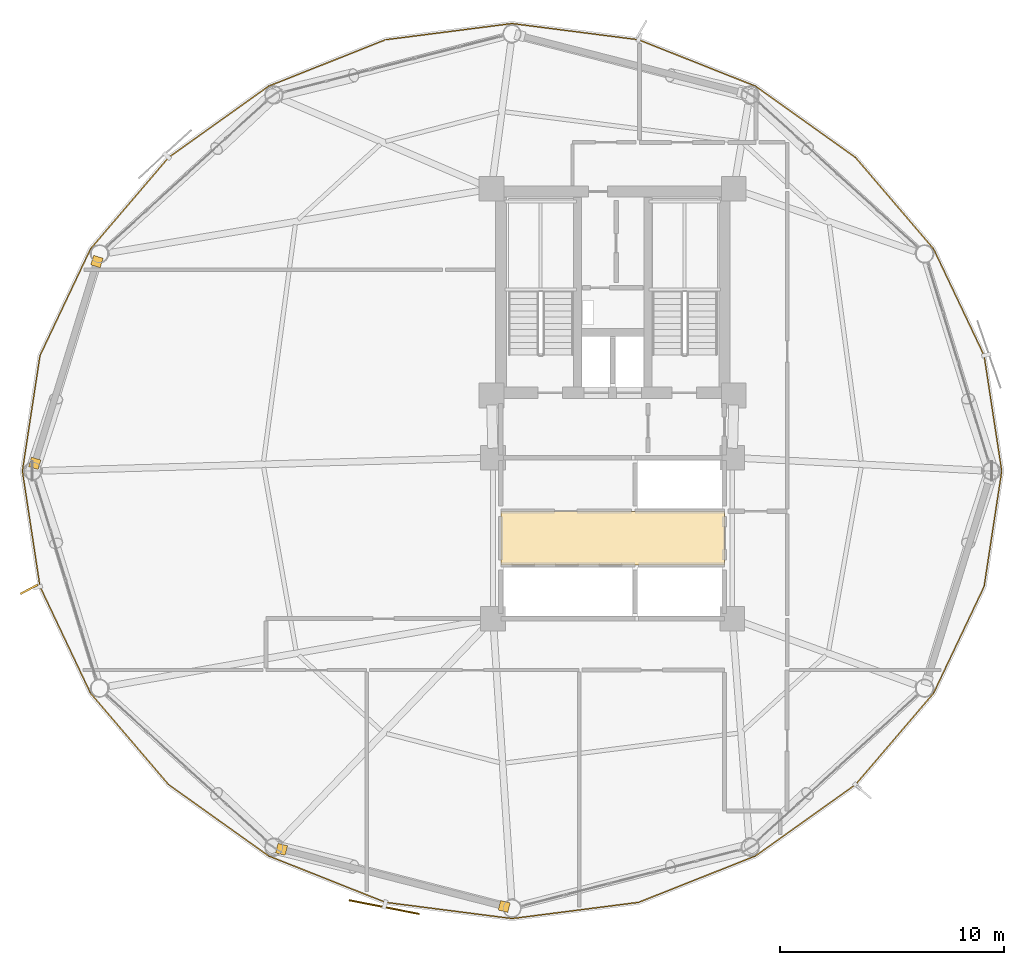
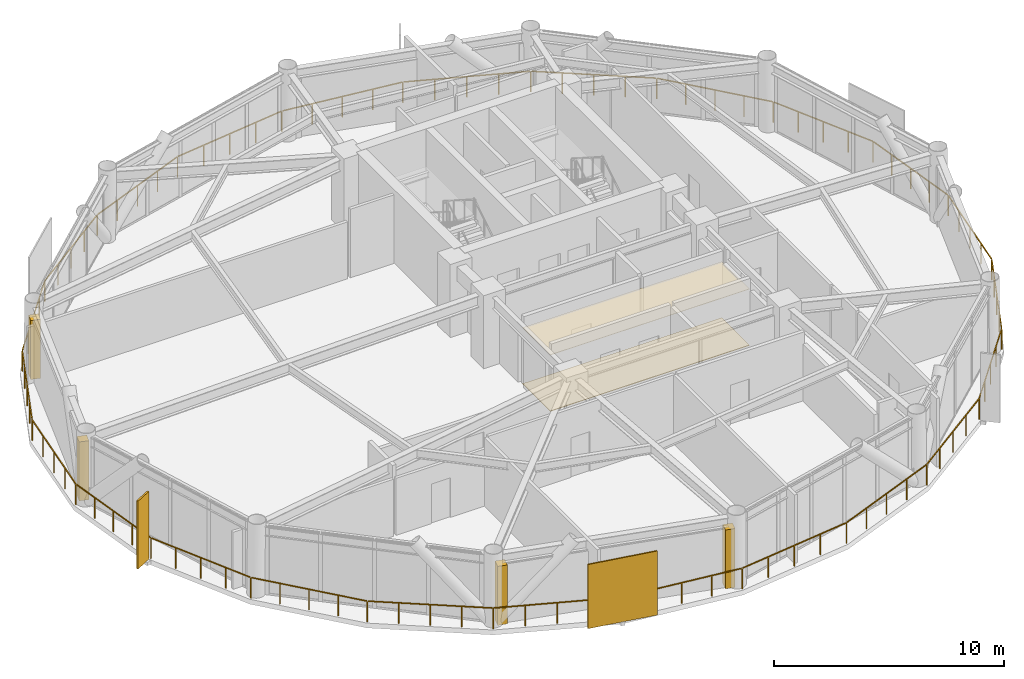
# One storey, part 22 of 24: 6 coverings, 2 shading devices, 1 railing.
"""IFC4 building model written with IfcOpenShell, lengths in metres."""

import ifcopenshell
import ifcopenshell.guid

model = None  # the IFC model being written
_history = None  # IfcOwnerHistory: only IFC2X3 demands one
_inside = {}  # id of a spatial element -> (the spatial element, [elements in it])
_under = {}  # id of a project, library or spatial element -> (it, [spatial elements below it])
_declared = {}  # id of a project -> (the project, [libraries it declares])
_typed = {}  # id of a type object -> (the type object, [elements of that type])
_made_of = {}  # id of a material, layer set ... -> (it, [elements and type objects made of it])


def new_model(schema):
    """Start an empty IFC model of exactly this schema.

    Asked for "IFC4X3", IfcOpenShell would pick the latest addendum, in which some entities
    have other attributes; the version numbers below select the first issue.
    IFC2X3 requires an IfcOwnerHistory on every rooted entity: one is made here for all.
    """
    global model, _history
    if schema == "IFC4X3":
        model = ifcopenshell.file(schema_version=(4, 3, 0, 0))
    else:
        model = ifcopenshell.file(schema=schema)
    _inside.clear()
    _under.clear()
    _declared.clear()
    _typed.clear()
    _made_of.clear()
    _history = None
    if model.schema == "IFC2X3":
        org = make("IfcOrganization", Name="unknown")
        user = make(
            "IfcPersonAndOrganization",
            ThePerson=make("IfcPerson", FamilyName="unknown"),
            TheOrganization=org,
        )
        app = make(
            "IfcApplication",
            ApplicationDeveloper=org,
            Version="unknown",
            ApplicationFullName="unknown",
            ApplicationIdentifier="unknown",
        )
        _history = make(
            "IfcOwnerHistory",
            OwningUser=user,
            OwningApplication=app,
            ChangeAction="ADDED",
            CreationDate=0,
        )
    return model


def make(cls, **values):
    """One entity of the class cls with the attributes given. An attribute that is None is left unset."""
    return model.create_entity(
        cls, **{name: value for name, value in values.items() if value is not None}
    )


def rooted(cls, **values):
    """An entity with a GlobalId (a new one), such as an element, a storey or a relation."""
    return make(cls, GlobalId=ifcopenshell.guid.new(), OwnerHistory=_history, **values)


def si_unit(unit_type, name, prefix=None):
    """IfcSIUnit, for example si_unit("LENGTHUNIT", "METRE", prefix="MILLI")."""
    return make("IfcSIUnit", UnitType=unit_type, Prefix=prefix, Name=name)


def assignment(units):
    """IfcUnitAssignment: the units of a project."""
    return None if units is None else make("IfcUnitAssignment", Units=units)


def point(xyz):
    """IfcCartesianPoint."""
    return None if xyz is None else make("IfcCartesianPoint", Coordinates=xyz)


def direction(xyz):
    """IfcDirection."""
    return None if xyz is None else make("IfcDirection", DirectionRatios=xyz)


def frame(location, z_axis=None, x_axis=None):
    """IfcAxis2Placement3D, a coordinate frame: its origin and axes. An axis left out is left unset."""
    return make(
        "IfcAxis2Placement3D",
        Location=point(location),
        Axis=direction(z_axis),
        RefDirection=direction(x_axis),
    )


def frame_2d(location, x_axis=None):
    """IfcAxis2Placement2D, a coordinate frame in the plane: its origin and x axis."""
    return make(
        "IfcAxis2Placement2D", Location=point(location), RefDirection=direction(x_axis)
    )


def origin():
    """The frame at (0, 0, 0) with its axes left unset."""
    return frame((0.0, 0.0, 0.0))


def origin_2d():
    """The frame at (0, 0) in the plane with its x axis left unset."""
    return frame_2d((0.0, 0.0))


def place(relative_to, where):
    """IfcLocalPlacement: puts the frame where relative to a parent placement (None: the world)."""
    return make(
        "IfcLocalPlacement", PlacementRelTo=relative_to, RelativePlacement=where
    )


def context(
    kind, dimensions, precision=None, world=None, true_north=None, identifier=None
):
    """IfcGeometricRepresentationContext, for example the 3D "Model" context."""
    return make(
        "IfcGeometricRepresentationContext",
        ContextIdentifier=identifier,
        ContextType=kind,
        CoordinateSpaceDimension=dimensions,
        Precision=precision,
        WorldCoordinateSystem=world,
        TrueNorth=true_north,
    )


def subcontext(parent, identifier, kind, view, scale=None):
    """IfcGeometricRepresentationSubContext, for example "Body" below "Model"."""
    return make(
        "IfcGeometricRepresentationSubContext",
        ContextIdentifier=identifier,
        ContextType=kind,
        ParentContext=parent,
        TargetScale=scale,
        TargetView=view,
    )


def project(units=None, contexts=None):
    """IfcProject with its units and contexts."""
    return rooted(
        "IfcProject",
        Name="project",
        RepresentationContexts=contexts,
        UnitsInContext=assignment(units),
    )


def spatial(cls, under=None, at=None, **own):
    """A site, building, storey or space (cls), placed at a placement, below another one or the project."""
    s = rooted(cls, ObjectPlacement=at, **own)
    if under is not None:
        _under.setdefault(under.id(), (under, []))[1].append(s)
    return s


def polyline(points):
    """IfcPolyline through the points."""
    return make("IfcPolyline", Points=[point(p) for p in points])


def profile(cls, at=None, kind="AREA", **sizes):
    """A parametric profile (cls). Its sizes go by their IFC names, for example OverallWidth=200.0."""
    return make(cls, ProfileType=kind, Position=at, **sizes)


def rectangle(**sizes):
    """IfcRectangleProfileDef."""
    return profile("IfcRectangleProfileDef", **sizes)


def outline(outer, holes=None, kind="AREA"):
    """IfcArbitraryClosedProfileDef: a profile drawn as a closed curve; with holes, ...WithVoids."""
    if holes is None:
        return make("IfcArbitraryClosedProfileDef", ProfileType=kind, OuterCurve=outer)
    return make(
        "IfcArbitraryProfileDefWithVoids",
        ProfileType=kind,
        OuterCurve=outer,
        InnerCurves=holes,
    )


def extrude(swept, where, along, depth):
    """IfcExtrudedAreaSolid: the profile swept, set in the frame where, extruded along a direction by depth."""
    return make(
        "IfcExtrudedAreaSolid",
        SweptArea=swept,
        Position=where,
        ExtrudedDirection=direction(along),
        Depth=depth,
    )


def shape(context_of_items, identifier, shape_type, items):
    """IfcShapeRepresentation: the items that make up one representation, for example the "Body"."""
    return make(
        "IfcShapeRepresentation",
        ContextOfItems=context_of_items,
        RepresentationIdentifier=identifier,
        RepresentationType=shape_type,
        Items=items,
    )


def source(mapping_origin, context_of_items, identifier, shape_type, items):
    """IfcRepresentationMap: a shape defined once, which mapped items show again and again."""
    return make(
        "IfcRepresentationMap",
        MappingOrigin=mapping_origin,
        MappedRepresentation=shape(context_of_items, identifier, shape_type, items),
    )


def transform(
    local_origin,
    x_axis=None,
    y_axis=None,
    z_axis=None,
    scale=None,
    scale2=None,
    scale3=None,
    uniform=True,
):
    """IfcCartesianTransformationOperator3D, or its non-uniform kind. x_axis, y_axis, z_axis: its Axis1, 2, 3."""
    if uniform:
        return make(
            "IfcCartesianTransformationOperator3D",
            Axis1=direction(x_axis),
            Axis2=direction(y_axis),
            LocalOrigin=point(local_origin),
            Scale=scale,
            Axis3=direction(z_axis),
        )
    return make(
        "IfcCartesianTransformationOperator3DnonUniform",
        Axis1=direction(x_axis),
        Axis2=direction(y_axis),
        LocalOrigin=point(local_origin),
        Scale=scale,
        Axis3=direction(z_axis),
        Scale2=scale2,
        Scale3=scale3,
    )


def mapped(mapping_source, mapping_target):
    """IfcMappedItem: shows the shape of a source again, moved by a transform."""
    return make(
        "IfcMappedItem", MappingSource=mapping_source, MappingTarget=mapping_target
    )


def material(Name=None, Category=None):
    """IfcMaterial."""
    return make("IfcMaterial", Name=Name, Category=Category)


def layer(
    of_material, thickness, ventilated=None, Name=None, Category=None, Priority=None
):
    """IfcMaterialLayer: one layer of a wall or slab, of a material (None: an air gap)."""
    return make(
        "IfcMaterialLayer",
        Material=of_material,
        LayerThickness=thickness,
        IsVentilated=ventilated,
        Name=Name,
        Category=Category,
        Priority=Priority,
    )


def layer_set(layers, Name=None):
    """IfcMaterialLayerSet."""
    return make("IfcMaterialLayerSet", MaterialLayers=layers, LayerSetName=Name)


def made_of(thing, what):
    """Note that an element or type object is made of a material, layer set ...; save() writes the relation."""
    if what is not None:
        _made_of.setdefault(what.id(), (what, []))[1].append(thing)
    return thing


def type_object(cls, material=None, **own):
    """A type object (cls), such as IfcWallType, which elements share."""
    return made_of(rooted(cls, **own), material)


def type_shapes(of_type, sources):
    """Give a type object the sources (RepresentationMaps) that its elements show as mapped items."""
    of_type.RepresentationMaps = sources


def element(
    cls,
    number,
    at=None,
    inside=None,
    cuts=None,
    type_object=None,
    material=None,
    context=None,
    identifier="Body",
    shape_type=None,
    held_by="IfcProductDefinitionShape",
    body=None,
    shapes=None,
    **own,
):
    """One element of the class cls, such as IfcWall. Its Tag is "e" and its number.

    at: its placement. inside: the storey or other place that contains it. cuts: it is an
    opening in that element (IfcRelVoidsElement). A single representation is given by context,
    identifier, shape_type and body (its items); several are given by shapes. held_by: the class
    of the entity that holds the representations. save() writes the other relations.
    """
    e = rooted(cls, Tag="e%d" % number, ObjectPlacement=at, **own)
    if body is not None:
        shapes = [shape(context, identifier, shape_type, body)]
    if shapes is not None:
        e.Representation = make(held_by, Representations=shapes)
    if inside is not None:
        _inside.setdefault(inside.id(), (inside, []))[1].append(e)
    if cuts is not None:
        rooted(
            "IfcRelVoidsElement", RelatingBuildingElement=cuts, RelatedOpeningElement=e
        )
    if type_object is not None:
        _typed.setdefault(type_object.id(), (type_object, []))[1].append(e)
    return made_of(e, material)


def aggregate(whole, parts):
    """IfcRelAggregates: a whole, such as a stair, and the parts it consists of."""
    return rooted("IfcRelAggregates", RelatingObject=whole, RelatedObjects=parts)


def save(model, path):
    """Write the relations noted so far, then the file.

    IfcRelAggregates (storeys below a building ...), IfcRelContainedInSpatialStructure (elements
    in a storey), IfcRelDefinesByType, IfcRelAssociatesMaterial and IfcRelDeclares: one each for
    every whole, place, type object, material and project.
    """
    for whole, parts in _under.values():
        aggregate(whole, parts)
    for where, things in _inside.values():
        rooted(
            "IfcRelContainedInSpatialStructure",
            RelatedElements=things,
            RelatingStructure=where,
        )
    for kind, things in _typed.values():
        rooted("IfcRelDefinesByType", RelatedObjects=things, RelatingType=kind)
    for what, things in _made_of.values():
        rooted("IfcRelAssociatesMaterial", RelatedObjects=things, RelatingMaterial=what)
    for by, libraries in _declared.values():
        rooted("IfcRelDeclares", RelatingContext=by, RelatedDefinitions=libraries)
    model.write(path)


model = new_model("IFC4")

# Units and contexts
model_context = context("Model", 3, precision=1e-05, world=origin(), true_north=direction((0.0, 1.0)))
body_context = subcontext(model_context, "Body", "Model", "MODEL_VIEW")
ifc_project = project(units=[si_unit("LENGTHUNIT", "METRE"), si_unit("AREAUNIT", "SQUARE_METRE"), si_unit("VOLUMEUNIT", "CUBIC_METRE"), si_unit("PLANEANGLEUNIT", "RADIAN"), si_unit("MASSUNIT", "GRAM", prefix="KILO")], contexts=[model_context])

# Site, building, storey
site_placement = place(None, origin())
site = spatial("IfcSite", under=ifc_project, at=site_placement, CompositionType="ELEMENT")
building_placement = place(site_placement, origin())
building = spatial("IfcBuilding", under=site, at=building_placement, Name="Varnakorn Sky Granary", CompositionType="ELEMENT")
storey_placement = place(building_placement, frame((0.0, 0.0, 111.0)))
storey = spatial("IfcBuildingStorey", under=building, at=storey_placement, Name="L27", CompositionType="ELEMENT", Elevation=111.0)

# Coverings
ifc_material_1 = material(Name="Perforated Acoustic Mineral-Fibre Ceiling", Category="gypsum")
ifc_layer_1 = layer(ifc_material_1, 0.02001953125, Name="Perforated Acoustic Mineral-Fibre Ceiling")
ifc_layer_set_1 = layer_set([ifc_layer_1], Name="Perforated Acoustic Mineral-Fibre Ceiling")
covering_type_1 = type_object("IfcCoveringType", Name="CV-CEIL-20", PredefinedType="CEILING", material=ifc_layer_set_1)
covering_1_placement = place(storey_placement, frame((0.0, 0.0, 2.989990234375)))
element("IfcCovering", 1, at=covering_1_placement, inside=storey, type_object=covering_type_1, Name="Lift Lobby Perforated Acoustic Ceiling L27", PredefinedType="CEILING", context=body_context, shape_type="SweptSolid", body=[
    extrude(outline(polyline([(-2.0, -4.199951171875), (8.0, -4.199951171875), (8.0, -1.800048828125), (-2.0, -1.800048828125), (-2.0, -4.199951171875)])), origin(), (0.0, 0.0, 1.0), 0.02001953125),
])
ifc_material_2 = material(Name="Honed Epoxy Terrazzo Topping", Category="concrete")
ifc_layer_2 = layer(ifc_material_2, 0.030029296875, Name="Honed Epoxy Terrazzo Topping")
ifc_layer_set_2 = layer_set([ifc_layer_2], Name="Honed Epoxy Terrazzo Topping")
covering_type_2 = type_object("IfcCoveringType", Name="CV-FLOR-30", PredefinedType="FLOORING", material=ifc_layer_set_2)
covering_2_placement = place(storey_placement, origin())
element("IfcCovering", 2, at=covering_2_placement, inside=storey, type_object=covering_type_2, Name="Lift Lobby Terrazzo Floor Finish L27", PredefinedType="FLOORING", context=body_context, shape_type="SweptSolid", body=[
    extrude(outline(polyline([(-2.0, -4.199951171875), (8.0, -4.199951171875), (8.0, -1.800048828125), (-2.0, -1.800048828125), (-2.0, -4.199951171875)])), origin(), (0.0, 0.0, 1.0), 0.030029296875),
])

# Railing
ifc_material_3 = material(Name="Anodised Bronze Aluminium Alloy 6063-T6", Category="aluminium")
railing_type = type_object("IfcRailingType", Name="RL-BAL-1120", PredefinedType="BALUSTRADE", material=ifc_material_3)
railing_placement = place(storey_placement, frame((20.398681640625, 0.0, 0.0)))
element("IfcRailing", 3, at=railing_placement, inside=storey, type_object=railing_type, Name="Perimeter Slab-Edge Safety Guard L27", PredefinedType="BALUSTRADE", context=body_context, shape_type="SweptSolid", body=[
    extrude(rectangle(XDim=0.048095703125, YDim=0.048095703125, at=origin_2d()), frame((-0.004150390625, -0.027587890625, 1.09619140625), z_axis=(-0.150894744118, -0.988549834959, 0.0), x_axis=(0.988549834959, -0.150894744118, 0.0)), (0.0, 0.0, 1.0), 5.16845703125),
    extrude(rectangle(XDim=0.048095703125, YDim=0.048095703125, at=origin_2d()), frame((-0.80029296875, -5.18994140625, 1.09619140625), z_axis=(-0.428074415114, -0.903743489672, 0.0), x_axis=(0.903743489672, -0.428074415114, 0.0)), (0.0, 0.0, 1.0), 5.222412109375),
    extrude(rectangle(XDim=0.048095703125, YDim=0.048095703125, at=origin_2d()), frame((-3.06591796875, -9.9560546875, 1.09619140625), z_axis=(-0.649405949946, -0.760441919001, 0.0), x_axis=(0.760441919001, -0.649405949946, 0.0)), (0.0, 0.0, 1.0), 5.31787109375),
    extrude(rectangle(XDim=0.048095703125, YDim=0.048095703125, at=origin_2d()), frame((-6.560302734375, -14.03759765625, 1.09619140625), z_axis=(-0.814171244702, -0.580624822325, 0.0), x_axis=(0.580624822325, -0.814171244702, 0.0)), (0.0, 0.0, 1.0), 5.442626953125),
    extrude(rectangle(XDim=0.048095703125, YDim=0.048095703125, at=origin_2d()), frame((-11.04052734375, -17.22412109375, 1.09619140625), z_axis=(-0.929520949418, -0.368769310806, 0.0), x_axis=(0.368769310806, -0.929520949418, 0.0)), (0.0, 0.0, 1.0), 5.5673828125),
    extrude(rectangle(XDim=0.048095703125, YDim=0.048095703125, at=origin_2d()), frame((-16.269287109375, -19.291259765625, 1.09619140625), z_axis=(-0.991875018329, -0.127216146836, 0.0), x_axis=(0.127216146836, -0.991875018329, 0.0)), (0.0, 0.0, 1.0), 5.6474609375),
    extrude(rectangle(XDim=0.048095703125, YDim=0.048095703125, at=origin_2d()), frame((-21.926513671875, -20.009521484375, 1.09619140625), z_axis=(-0.991875018329, 0.127216146836, 0.0), x_axis=(-0.127216146836, -0.991875018329, 0.0)), (0.0, 0.0, 1.0), 5.6474609375),
    extrude(rectangle(XDim=0.048095703125, YDim=0.048095703125, at=origin_2d()), frame((-27.58203125, -19.27734375, 1.09619140625), z_axis=(-0.929520949418, 0.368769310806, 0.0), x_axis=(-0.368769310806, -0.929520949418, 0.0)), (0.0, 0.0, 1.0), 5.5673828125),
    extrude(rectangle(XDim=0.048095703125, YDim=0.048095703125, at=origin_2d()), frame((-32.8056640625, -17.197509765625, 1.09619140625), z_axis=(-0.814171244702, 0.580624822325, 0.0), x_axis=(-0.580624822325, -0.814171244702, 0.0)), (0.0, 0.0, 1.0), 5.442626953125),
    extrude(rectangle(XDim=0.048095703125, YDim=0.048095703125, at=origin_2d()), frame((-37.27783203125, -14.0, 1.09619140625), z_axis=(-0.649405949946, 0.760441919001, 0.0), x_axis=(-0.760441919001, -0.649405949946, 0.0)), (0.0, 0.0, 1.0), 5.31787109375),
    extrude(rectangle(XDim=0.048095703125, YDim=0.048095703125, at=origin_2d()), frame((-40.761474609375, -9.909423828125, 1.09619140625), z_axis=(-0.428074415114, 0.903743489672, 0.0), x_axis=(-0.903743489672, -0.428074415114, 0.0)), (0.0, 0.0, 1.0), 5.222412109375),
    extrude(rectangle(XDim=0.048095703125, YDim=0.048095703125, at=origin_2d()), frame((-43.01318359375, -5.136962890625, 1.09619140625), z_axis=(-0.150894744118, 0.988549834959, 0.0), x_axis=(-0.988549834959, -0.150894744118, 0.0)), (0.0, 0.0, 1.0), 5.16845703125),
    extrude(rectangle(XDim=0.048095703125, YDim=0.048095703125, at=origin_2d()), frame((-43.793212890625, 0.027587890625, 1.09619140625), z_axis=(0.150894744118, 0.988549834959, 0.0), x_axis=(-0.988549834959, 0.150894744118, 0.0)), (0.0, 0.0, 1.0), 5.16845703125),
    extrude(rectangle(XDim=0.048095703125, YDim=0.048095703125, at=origin_2d()), frame((-42.9970703125, 5.18994140625, 1.09619140625), z_axis=(0.428074415114, 0.903743489672, 0.0), x_axis=(-0.903743489672, 0.428074415114, 0.0)), (0.0, 0.0, 1.0), 5.222412109375),
    extrude(rectangle(XDim=0.048095703125, YDim=0.048095703125, at=origin_2d()), frame((-40.7314453125, 9.9560546875, 1.09619140625), z_axis=(0.649405949946, 0.760441919001, 0.0), x_axis=(-0.760441919001, 0.649405949946, 0.0)), (0.0, 0.0, 1.0), 5.31787109375),
    extrude(rectangle(XDim=0.048095703125, YDim=0.048095703125, at=origin_2d()), frame((-37.237060546875, 14.03759765625, 1.09619140625), z_axis=(0.814171244702, 0.580624822325, 0.0), x_axis=(-0.580624822325, 0.814171244702, 0.0)), (0.0, 0.0, 1.0), 5.442626953125),
    extrude(rectangle(XDim=0.048095703125, YDim=0.048095703125, at=origin_2d()), frame((-32.7568359375, 17.22412109375, 1.09619140625), z_axis=(0.929520949418, 0.368769310806, 0.0), x_axis=(-0.368769310806, 0.929520949418, 0.0)), (0.0, 0.0, 1.0), 5.5673828125),
    extrude(rectangle(XDim=0.048095703125, YDim=0.048095703125, at=origin_2d()), frame((-27.528076171875, 19.291259765625, 1.09619140625), z_axis=(0.991875018329, 0.127216146836, 0.0), x_axis=(-0.127216146836, 0.991875018329, 0.0)), (0.0, 0.0, 1.0), 5.6474609375),
    extrude(rectangle(XDim=0.048095703125, YDim=0.048095703125, at=origin_2d()), frame((-21.870849609375, 20.009521484375, 1.09619140625), z_axis=(0.991875018329, -0.127216146836, 0.0), x_axis=(0.127216146836, 0.991875018329, 0.0)), (0.0, 0.0, 1.0), 5.6474609375),
    extrude(rectangle(XDim=0.048095703125, YDim=0.048095703125, at=origin_2d()), frame((-16.21533203125, 19.27734375, 1.09619140625), z_axis=(0.929520949418, -0.368769310806, 0.0), x_axis=(0.368769310806, 0.929520949418, 0.0)), (0.0, 0.0, 1.0), 5.5673828125),
    extrude(rectangle(XDim=0.048095703125, YDim=0.048095703125, at=origin_2d()), frame((-10.99169921875, 17.197509765625, 1.09619140625), z_axis=(0.814171244702, -0.580624822325, 0.0), x_axis=(0.580624822325, 0.814171244702, 0.0)), (0.0, 0.0, 1.0), 5.442626953125),
    extrude(rectangle(XDim=0.048095703125, YDim=0.048095703125, at=origin_2d()), frame((-6.51953125, 14.0, 1.09619140625), z_axis=(0.649405949946, -0.760441919001, 0.0), x_axis=(0.760441919001, 0.649405949946, 0.0)), (0.0, 0.0, 1.0), 5.31787109375),
    extrude(rectangle(XDim=0.048095703125, YDim=0.048095703125, at=origin_2d()), frame((-3.035888671875, 9.909423828125, 1.09619140625), z_axis=(0.428074415114, -0.903743489672, 0.0), x_axis=(0.903743489672, 0.428074415114, 0.0)), (0.0, 0.0, 1.0), 5.222412109375),
    extrude(rectangle(XDim=0.048095703125, YDim=0.048095703125, at=origin_2d()), frame((-0.7841796875, 5.136962890625, 1.09619140625), z_axis=(0.150894744118, -0.988549834959, 0.0), x_axis=(0.988549834959, 0.150894744118, 0.0)), (0.0, 0.0, 1.0), 5.16845703125),
    extrude(rectangle(XDim=0.0419921875, YDim=0.0419921875, at=origin_2d()), origin(), (0.0, 0.0, 1.0), 1.068115234375),
    extrude(rectangle(XDim=0.0419921875, YDim=0.0419921875, at=origin_2d()), frame((-0.197021484375, -1.291015625, 0.0)), (0.0, 0.0, 1.0), 1.068115234375),
    extrude(rectangle(XDim=0.0419921875, YDim=0.0419921875, at=origin_2d()), frame((-0.39404296875, -2.582275390625, 0.0)), (0.0, 0.0, 1.0), 1.068115234375),
    extrude(rectangle(XDim=0.0419921875, YDim=0.0419921875, at=origin_2d()), frame((-0.59130859375, -3.87353515625, 0.0)), (0.0, 0.0, 1.0), 1.068115234375),
    extrude(rectangle(XDim=0.0419921875, YDim=0.0419921875, at=origin_2d()), frame((-0.788330078125, -5.16455078125, 0.0)), (0.0, 0.0, 1.0), 1.068115234375),
    extrude(rectangle(XDim=0.0419921875, YDim=0.0419921875, at=origin_2d()), frame((-1.353271484375, -6.357177734375, 0.0)), (0.0, 0.0, 1.0), 1.068115234375),
    extrude(rectangle(XDim=0.0419921875, YDim=0.0419921875, at=origin_2d()), frame((-1.91796875, -7.5498046875, 0.0)), (0.0, 0.0, 1.0), 1.068115234375),
    extrude(rectangle(XDim=0.0419921875, YDim=0.0419921875, at=origin_2d()), frame((-2.48291015625, -8.7421875, 0.0)), (0.0, 0.0, 1.0), 1.068115234375),
    extrude(rectangle(XDim=0.0419921875, YDim=0.0419921875, at=origin_2d()), frame((-3.0478515625, -9.934814453125, 0.0)), (0.0, 0.0, 1.0), 1.068115234375),
    extrude(rectangle(XDim=0.0419921875, YDim=0.0419921875, at=origin_2d()), frame((-3.92041015625, -10.95654296875, 0.0)), (0.0, 0.0, 1.0), 1.068115234375),
    extrude(rectangle(XDim=0.0419921875, YDim=0.0419921875, at=origin_2d()), frame((-4.792724609375, -11.97802734375, 0.0)), (0.0, 0.0, 1.0), 1.068115234375),
    extrude(rectangle(XDim=0.0419921875, YDim=0.0419921875, at=origin_2d()), frame((-5.6650390625, -12.99951171875, 0.0)), (0.0, 0.0, 1.0), 1.068115234375),
    extrude(rectangle(XDim=0.0419921875, YDim=0.0419921875, at=origin_2d()), frame((-6.53759765625, -14.021240234375, 0.0)), (0.0, 0.0, 1.0), 1.068115234375),
    extrude(rectangle(XDim=0.0419921875, YDim=0.0419921875, at=origin_2d()), frame((-7.65673828125, -14.8193359375, 0.0)), (0.0, 0.0, 1.0), 1.068115234375),
    extrude(rectangle(XDim=0.0419921875, YDim=0.0419921875, at=origin_2d()), frame((-8.77587890625, -15.61767578125, 0.0)), (0.0, 0.0, 1.0), 1.068115234375),
    extrude(rectangle(XDim=0.0419921875, YDim=0.0419921875, at=origin_2d()), frame((-9.895263671875, -16.415771484375, 0.0)), (0.0, 0.0, 1.0), 1.068115234375),
    extrude(rectangle(XDim=0.0419921875, YDim=0.0419921875, at=origin_2d()), frame((-11.014404296875, -17.2138671875, 0.0)), (0.0, 0.0, 1.0), 1.068115234375),
    extrude(rectangle(XDim=0.0419921875, YDim=0.0419921875, at=origin_2d()), frame((-12.3212890625, -17.732421875, 0.0)), (0.0, 0.0, 1.0), 1.068115234375),
    extrude(rectangle(XDim=0.0419921875, YDim=0.0419921875, at=origin_2d()), frame((-13.6279296875, -18.250732421875, 0.0)), (0.0, 0.0, 1.0), 1.068115234375),
    extrude(rectangle(XDim=0.0419921875, YDim=0.0419921875, at=origin_2d()), frame((-14.9345703125, -18.76904296875, 0.0)), (0.0, 0.0, 1.0), 1.068115234375),
    extrude(rectangle(XDim=0.0419921875, YDim=0.0419921875, at=origin_2d()), frame((-16.241455078125, -19.28759765625, 0.0)), (0.0, 0.0, 1.0), 1.068115234375),
    extrude(rectangle(XDim=0.0419921875, YDim=0.0419921875, at=origin_2d()), frame((-17.65576171875, -19.468994140625, 0.0)), (0.0, 0.0, 1.0), 1.068115234375),
    extrude(rectangle(XDim=0.0419921875, YDim=0.0419921875, at=origin_2d()), frame((-19.070068359375, -19.650390625, 0.0)), (0.0, 0.0, 1.0), 1.068115234375),
    extrude(rectangle(XDim=0.0419921875, YDim=0.0419921875, at=origin_2d()), frame((-20.484375, -19.831787109375, 0.0)), (0.0, 0.0, 1.0), 1.068115234375),
    extrude(rectangle(XDim=0.0419921875, YDim=0.0419921875, at=origin_2d()), frame((-21.898681640625, -20.01318359375, 0.0)), (0.0, 0.0, 1.0), 1.068115234375),
    extrude(rectangle(XDim=0.0419921875, YDim=0.0419921875, at=origin_2d()), frame((-23.31298828125, -19.831787109375, 0.0)), (0.0, 0.0, 1.0), 1.068115234375),
    extrude(rectangle(XDim=0.0419921875, YDim=0.0419921875, at=origin_2d()), frame((-24.727294921875, -19.650390625, 0.0)), (0.0, 0.0, 1.0), 1.068115234375),
    extrude(rectangle(XDim=0.0419921875, YDim=0.0419921875, at=origin_2d()), frame((-26.1416015625, -19.468994140625, 0.0)), (0.0, 0.0, 1.0), 1.068115234375),
    extrude(rectangle(XDim=0.0419921875, YDim=0.0419921875, at=origin_2d()), frame((-27.555908203125, -19.28759765625, 0.0)), (0.0, 0.0, 1.0), 1.068115234375),
    extrude(rectangle(XDim=0.0419921875, YDim=0.0419921875, at=origin_2d()), frame((-28.86279296875, -18.76904296875, 0.0)), (0.0, 0.0, 1.0), 1.068115234375),
    extrude(rectangle(XDim=0.0419921875, YDim=0.0419921875, at=origin_2d()), frame((-30.16943359375, -18.250732421875, 0.0)), (0.0, 0.0, 1.0), 1.068115234375),
    extrude(rectangle(XDim=0.0419921875, YDim=0.0419921875, at=origin_2d()), frame((-31.47607421875, -17.732421875, 0.0)), (0.0, 0.0, 1.0), 1.068115234375),
    extrude(rectangle(XDim=0.0419921875, YDim=0.0419921875, at=origin_2d()), frame((-32.782958984375, -17.2138671875, 0.0)), (0.0, 0.0, 1.0), 1.068115234375),
    extrude(rectangle(XDim=0.0419921875, YDim=0.0419921875, at=origin_2d()), frame((-33.902099609375, -16.415771484375, 0.0)), (0.0, 0.0, 1.0), 1.068115234375),
    extrude(rectangle(XDim=0.0419921875, YDim=0.0419921875, at=origin_2d()), frame((-35.021484375, -15.61767578125, 0.0)), (0.0, 0.0, 1.0), 1.068115234375),
    extrude(rectangle(XDim=0.0419921875, YDim=0.0419921875, at=origin_2d()), frame((-36.140625, -14.8193359375, 0.0)), (0.0, 0.0, 1.0), 1.068115234375),
    extrude(rectangle(XDim=0.0419921875, YDim=0.0419921875, at=origin_2d()), frame((-37.259765625, -14.021240234375, 0.0)), (0.0, 0.0, 1.0), 1.068115234375),
    extrude(rectangle(XDim=0.0419921875, YDim=0.0419921875, at=origin_2d()), frame((-38.13232421875, -12.99951171875, 0.0)), (0.0, 0.0, 1.0), 1.068115234375),
    extrude(rectangle(XDim=0.0419921875, YDim=0.0419921875, at=origin_2d()), frame((-39.004638671875, -11.97802734375, 0.0)), (0.0, 0.0, 1.0), 1.068115234375),
    extrude(rectangle(XDim=0.0419921875, YDim=0.0419921875, at=origin_2d()), frame((-39.876953125, -10.95654296875, 0.0)), (0.0, 0.0, 1.0), 1.068115234375),
    extrude(rectangle(XDim=0.0419921875, YDim=0.0419921875, at=origin_2d()), frame((-40.74951171875, -9.934814453125, 0.0)), (0.0, 0.0, 1.0), 1.068115234375),
    extrude(rectangle(XDim=0.0419921875, YDim=0.0419921875, at=origin_2d()), frame((-41.314453125, -8.7421875, 0.0)), (0.0, 0.0, 1.0), 1.068115234375),
    extrude(rectangle(XDim=0.0419921875, YDim=0.0419921875, at=origin_2d()), frame((-41.87939453125, -7.5498046875, 0.0)), (0.0, 0.0, 1.0), 1.068115234375),
    extrude(rectangle(XDim=0.0419921875, YDim=0.0419921875, at=origin_2d()), frame((-42.444091796875, -6.357177734375, 0.0)), (0.0, 0.0, 1.0), 1.068115234375),
    extrude(rectangle(XDim=0.0419921875, YDim=0.0419921875, at=origin_2d()), frame((-43.009033203125, -5.16455078125, 0.0)), (0.0, 0.0, 1.0), 1.068115234375),
    extrude(rectangle(XDim=0.0419921875, YDim=0.0419921875, at=origin_2d()), frame((-43.2060546875, -3.87353515625, 0.0)), (0.0, 0.0, 1.0), 1.068115234375),
    extrude(rectangle(XDim=0.0419921875, YDim=0.0419921875, at=origin_2d()), frame((-43.4033203125, -2.582275390625, 0.0)), (0.0, 0.0, 1.0), 1.068115234375),
    extrude(rectangle(XDim=0.0419921875, YDim=0.0419921875, at=origin_2d()), frame((-43.600341796875, -1.291015625, 0.0)), (0.0, 0.0, 1.0), 1.068115234375),
    extrude(rectangle(XDim=0.0419921875, YDim=0.0419921875, at=origin_2d()), frame((-43.79736328125, 0.0, 0.0)), (0.0, 0.0, 1.0), 1.068115234375),
    extrude(rectangle(XDim=0.0419921875, YDim=0.0419921875, at=origin_2d()), frame((-43.600341796875, 1.291015625, 0.0)), (0.0, 0.0, 1.0), 1.068115234375),
    extrude(rectangle(XDim=0.0419921875, YDim=0.0419921875, at=origin_2d()), frame((-43.4033203125, 2.582275390625, 0.0)), (0.0, 0.0, 1.0), 1.068115234375),
    extrude(rectangle(XDim=0.0419921875, YDim=0.0419921875, at=origin_2d()), frame((-43.2060546875, 3.87353515625, 0.0)), (0.0, 0.0, 1.0), 1.068115234375),
    extrude(rectangle(XDim=0.0419921875, YDim=0.0419921875, at=origin_2d()), frame((-43.009033203125, 5.16455078125, 0.0)), (0.0, 0.0, 1.0), 1.068115234375),
    extrude(rectangle(XDim=0.0419921875, YDim=0.0419921875, at=origin_2d()), frame((-42.444091796875, 6.357177734375, 0.0)), (0.0, 0.0, 1.0), 1.068115234375),
    extrude(rectangle(XDim=0.0419921875, YDim=0.0419921875, at=origin_2d()), frame((-41.87939453125, 7.5498046875, 0.0)), (0.0, 0.0, 1.0), 1.068115234375),
    extrude(rectangle(XDim=0.0419921875, YDim=0.0419921875, at=origin_2d()), frame((-41.314453125, 8.7421875, 0.0)), (0.0, 0.0, 1.0), 1.068115234375),
    extrude(rectangle(XDim=0.0419921875, YDim=0.0419921875, at=origin_2d()), frame((-40.74951171875, 9.934814453125, 0.0)), (0.0, 0.0, 1.0), 1.068115234375),
    extrude(rectangle(XDim=0.0419921875, YDim=0.0419921875, at=origin_2d()), frame((-39.876953125, 10.95654296875, 0.0)), (0.0, 0.0, 1.0), 1.068115234375),
    extrude(rectangle(XDim=0.0419921875, YDim=0.0419921875, at=origin_2d()), frame((-39.004638671875, 11.97802734375, 0.0)), (0.0, 0.0, 1.0), 1.068115234375),
    extrude(rectangle(XDim=0.0419921875, YDim=0.0419921875, at=origin_2d()), frame((-38.13232421875, 12.99951171875, 0.0)), (0.0, 0.0, 1.0), 1.068115234375),
    extrude(rectangle(XDim=0.0419921875, YDim=0.0419921875, at=origin_2d()), frame((-37.259765625, 14.021240234375, 0.0)), (0.0, 0.0, 1.0), 1.068115234375),
    extrude(rectangle(XDim=0.0419921875, YDim=0.0419921875, at=origin_2d()), frame((-36.140625, 14.8193359375, 0.0)), (0.0, 0.0, 1.0), 1.068115234375),
    extrude(rectangle(XDim=0.0419921875, YDim=0.0419921875, at=origin_2d()), frame((-35.021484375, 15.61767578125, 0.0)), (0.0, 0.0, 1.0), 1.068115234375),
    extrude(rectangle(XDim=0.0419921875, YDim=0.0419921875, at=origin_2d()), frame((-33.902099609375, 16.415771484375, 0.0)), (0.0, 0.0, 1.0), 1.068115234375),
    extrude(rectangle(XDim=0.0419921875, YDim=0.0419921875, at=origin_2d()), frame((-32.782958984375, 17.2138671875, 0.0)), (0.0, 0.0, 1.0), 1.068115234375),
    extrude(rectangle(XDim=0.0419921875, YDim=0.0419921875, at=origin_2d()), frame((-31.47607421875, 17.732421875, 0.0)), (0.0, 0.0, 1.0), 1.068115234375),
    extrude(rectangle(XDim=0.0419921875, YDim=0.0419921875, at=origin_2d()), frame((-30.16943359375, 18.250732421875, 0.0)), (0.0, 0.0, 1.0), 1.068115234375),
    extrude(rectangle(XDim=0.0419921875, YDim=0.0419921875, at=origin_2d()), frame((-28.86279296875, 18.76904296875, 0.0)), (0.0, 0.0, 1.0), 1.068115234375),
    extrude(rectangle(XDim=0.0419921875, YDim=0.0419921875, at=origin_2d()), frame((-27.555908203125, 19.28759765625, 0.0)), (0.0, 0.0, 1.0), 1.068115234375),
    extrude(rectangle(XDim=0.0419921875, YDim=0.0419921875, at=origin_2d()), frame((-26.1416015625, 19.468994140625, 0.0)), (0.0, 0.0, 1.0), 1.068115234375),
    extrude(rectangle(XDim=0.0419921875, YDim=0.0419921875, at=origin_2d()), frame((-24.727294921875, 19.650390625, 0.0)), (0.0, 0.0, 1.0), 1.068115234375),
    extrude(rectangle(XDim=0.0419921875, YDim=0.0419921875, at=origin_2d()), frame((-23.31298828125, 19.831787109375, 0.0)), (0.0, 0.0, 1.0), 1.068115234375),
    extrude(rectangle(XDim=0.0419921875, YDim=0.0419921875, at=origin_2d()), frame((-21.898681640625, 20.01318359375, 0.0)), (0.0, 0.0, 1.0), 1.068115234375),
    extrude(rectangle(XDim=0.0419921875, YDim=0.0419921875, at=origin_2d()), frame((-20.484375, 19.831787109375, 0.0)), (0.0, 0.0, 1.0), 1.068115234375),
    extrude(rectangle(XDim=0.0419921875, YDim=0.0419921875, at=origin_2d()), frame((-19.070068359375, 19.650390625, 0.0)), (0.0, 0.0, 1.0), 1.068115234375),
    extrude(rectangle(XDim=0.0419921875, YDim=0.0419921875, at=origin_2d()), frame((-17.65576171875, 19.468994140625, 0.0)), (0.0, 0.0, 1.0), 1.068115234375),
    extrude(rectangle(XDim=0.0419921875, YDim=0.0419921875, at=origin_2d()), frame((-16.241455078125, 19.28759765625, 0.0)), (0.0, 0.0, 1.0), 1.068115234375),
    extrude(rectangle(XDim=0.0419921875, YDim=0.0419921875, at=origin_2d()), frame((-14.9345703125, 18.76904296875, 0.0)), (0.0, 0.0, 1.0), 1.068115234375),
    extrude(rectangle(XDim=0.0419921875, YDim=0.0419921875, at=origin_2d()), frame((-13.6279296875, 18.250732421875, 0.0)), (0.0, 0.0, 1.0), 1.068115234375),
    extrude(rectangle(XDim=0.0419921875, YDim=0.0419921875, at=origin_2d()), frame((-12.3212890625, 17.732421875, 0.0)), (0.0, 0.0, 1.0), 1.068115234375),
    extrude(rectangle(XDim=0.0419921875, YDim=0.0419921875, at=origin_2d()), frame((-11.014404296875, 17.2138671875, 0.0)), (0.0, 0.0, 1.0), 1.068115234375),
    extrude(rectangle(XDim=0.0419921875, YDim=0.0419921875, at=origin_2d()), frame((-9.895263671875, 16.415771484375, 0.0)), (0.0, 0.0, 1.0), 1.068115234375),
    extrude(rectangle(XDim=0.0419921875, YDim=0.0419921875, at=origin_2d()), frame((-8.77587890625, 15.61767578125, 0.0)), (0.0, 0.0, 1.0), 1.068115234375),
    extrude(rectangle(XDim=0.0419921875, YDim=0.0419921875, at=origin_2d()), frame((-7.65673828125, 14.8193359375, 0.0)), (0.0, 0.0, 1.0), 1.068115234375),
    extrude(rectangle(XDim=0.0419921875, YDim=0.0419921875, at=origin_2d()), frame((-6.53759765625, 14.021240234375, 0.0)), (0.0, 0.0, 1.0), 1.068115234375),
    extrude(rectangle(XDim=0.0419921875, YDim=0.0419921875, at=origin_2d()), frame((-5.6650390625, 12.99951171875, 0.0)), (0.0, 0.0, 1.0), 1.068115234375),
    extrude(rectangle(XDim=0.0419921875, YDim=0.0419921875, at=origin_2d()), frame((-4.792724609375, 11.97802734375, 0.0)), (0.0, 0.0, 1.0), 1.068115234375),
    extrude(rectangle(XDim=0.0419921875, YDim=0.0419921875, at=origin_2d()), frame((-3.92041015625, 10.95654296875, 0.0)), (0.0, 0.0, 1.0), 1.068115234375),
    extrude(rectangle(XDim=0.0419921875, YDim=0.0419921875, at=origin_2d()), frame((-3.0478515625, 9.934814453125, 0.0)), (0.0, 0.0, 1.0), 1.068115234375),
    extrude(rectangle(XDim=0.0419921875, YDim=0.0419921875, at=origin_2d()), frame((-2.48291015625, 8.7421875, 0.0)), (0.0, 0.0, 1.0), 1.068115234375),
    extrude(rectangle(XDim=0.0419921875, YDim=0.0419921875, at=origin_2d()), frame((-1.91796875, 7.5498046875, 0.0)), (0.0, 0.0, 1.0), 1.068115234375),
    extrude(rectangle(XDim=0.0419921875, YDim=0.0419921875, at=origin_2d()), frame((-1.353271484375, 6.357177734375, 0.0)), (0.0, 0.0, 1.0), 1.068115234375),
    extrude(rectangle(XDim=0.0419921875, YDim=0.0419921875, at=origin_2d()), frame((-0.788330078125, 5.16455078125, 0.0)), (0.0, 0.0, 1.0), 1.068115234375),
    extrude(rectangle(XDim=0.0419921875, YDim=0.0419921875, at=origin_2d()), frame((-0.59130859375, 3.87353515625, 0.0)), (0.0, 0.0, 1.0), 1.068115234375),
    extrude(rectangle(XDim=0.0419921875, YDim=0.0419921875, at=origin_2d()), frame((-0.39404296875, 2.582275390625, 0.0)), (0.0, 0.0, 1.0), 1.068115234375),
    extrude(rectangle(XDim=0.0419921875, YDim=0.0419921875, at=origin_2d()), frame((-0.197021484375, 1.291015625, 0.0)), (0.0, 0.0, 1.0), 1.068115234375),
])

# Shading devices
shading_device_type_1 = type_object("IfcShadingDeviceType", Name="SH-FIN-01", PredefinedType="USERDEFINED", material=ifc_material_3)
shared_shape_1 = source(origin(), body_context, "Body", "SweptSolid", [
    extrude(rectangle(XDim=0.0849609375, YDim=0.8798828125, at=origin_2d()), origin(), (0.0, 0.0, 1.0), 3.60009765625),
])
type_shapes(shading_device_type_1, [shared_shape_1])
shading_device_1_placement = place(storey_placement, frame((-23.09619140625, -5.286865234375, -0.0400390625), z_axis=(0.0, 0.0, 1.0), x_axis=(0.468646619633, -0.883385728834, 0.0)))
element("IfcShadingDevice", 4, at=shading_device_1_placement, inside=storey, type_object=shading_device_type_1, Name="Bronze Solar-Tracking Vertical Blade FIN L27-07", ObjectType="FIN", PredefinedType="USERDEFINED", context=body_context, shape_type="MappedRepresentation", body=[
    mapped(shared_shape_1, transform((0.0, 0.0, 0.0), x_axis=(1.0, 0.0, 0.0), y_axis=(0.0, 1.0, 0.0), z_axis=(0.0, 0.0, 1.0), scale=1.0)),
])
shading_device_type_2 = type_object("IfcShadingDeviceType", Name="SH-SCR-01", PredefinedType="USERDEFINED", material=ifc_material_3)
shared_shape_2 = source(origin(), body_context, "Body", "SweptSolid", [
    extrude(rectangle(XDim=3.199951171875, YDim=0.06494140625, at=origin_2d()), origin(), (0.0, 0.0, 1.0), 3.39990234375),
])
type_shapes(shading_device_type_2, [shared_shape_2])
shading_device_2_placement = place(storey_placement, frame((-7.21875, -19.49951171875, -0.0400390625), z_axis=(0.0, 0.0, 1.0), x_axis=(0.981308261907, -0.192442446235, 0.0)))
element("IfcShadingDevice", 5, at=shading_device_2_placement, inside=storey, type_object=shading_device_type_2, Name="Perforated Bronze Solar Screen Panel SCREEN L27-09", ObjectType="SCREEN", PredefinedType="USERDEFINED", context=body_context, shape_type="MappedRepresentation", body=[
    mapped(shared_shape_2, transform((0.0, 0.0, 0.0), x_axis=(1.0, 0.0, 0.0), y_axis=(0.0, 1.0, 0.0), z_axis=(0.0, 0.0, 1.0), scale=1.0)),
])

# Coverings
ifc_layer_3 = layer(ifc_material_3, 0.050048828125, Name="Anodised Bronze Aluminium Alloy 6063-T6")
ifc_layer_set_3 = layer_set([ifc_layer_3], Name="Anodised Bronze Aluminium Alloy 6063-T6")
covering_type_3 = type_object("IfcCoveringType", Name="CV-CLAD-50", PredefinedType="CLADDING", material=ifc_layer_set_3)
shared_shape_3 = source(origin(), body_context, "Body", "SweptSolid", [
    extrude(rectangle(XDim=0.43994140625, YDim=0.43994140625, at=origin_2d()), origin(), (0.0, 0.0, 1.0), 3.1298828125),
])
type_shapes(covering_type_3, [shared_shape_3])
for number, where, z_axis, x_axis, name in (
    (6, (-22.843505859375, 0.345458984375, -0.02001953125), (0.0, 0.0, 1.0), (0.294207138104, 0.955741680523, 0.0), "Bronze Corner Pilaster Closure L27-P06-A"),
    (7, (-20.065673828125, 9.368896484375, -0.02001953125), (0.0, 0.0, 1.0), (0.294207138104, 0.955741680523, 0.0), "Bronze Corner Pilaster Closure L27-P06-B"),
    (8, (-1.85009765625, -19.47412109375, -0.02001953125), (0.0, 0.0, 1.0), (-0.968539741803, 0.248858933029, 0.0), "Bronze Corner Pilaster Closure L27-P09-A"),
    (9, (-11.807373046875, -16.916015625, -0.02001953125), (0.0, 0.0, 1.0), (-0.968539741803, 0.248858933029, 0.0), "Bronze Corner Pilaster Closure L27-P09-B"),
):
    element("IfcCovering", number, at=place(storey_placement, frame(where, z_axis=z_axis, x_axis=x_axis)), inside=storey, type_object=covering_type_3, Name=name, PredefinedType="CLADDING", context=body_context, shape_type="MappedRepresentation", body=[
        mapped(shared_shape_3, transform((0.0, 0.0, 0.0), x_axis=(1.0, 0.0, 0.0), y_axis=(0.0, 1.0, 0.0), z_axis=(0.0, 0.0, 1.0), scale=1.0)),
    ])

save(model, "model.ifc")
